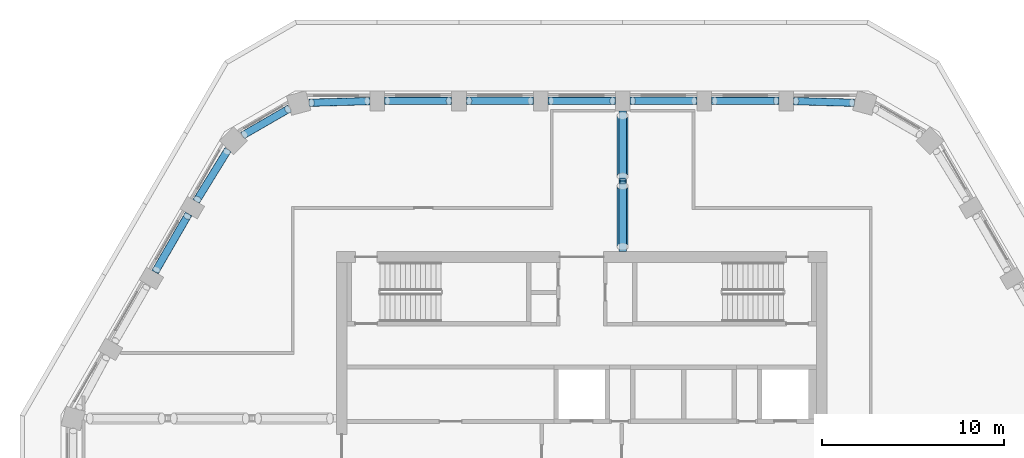
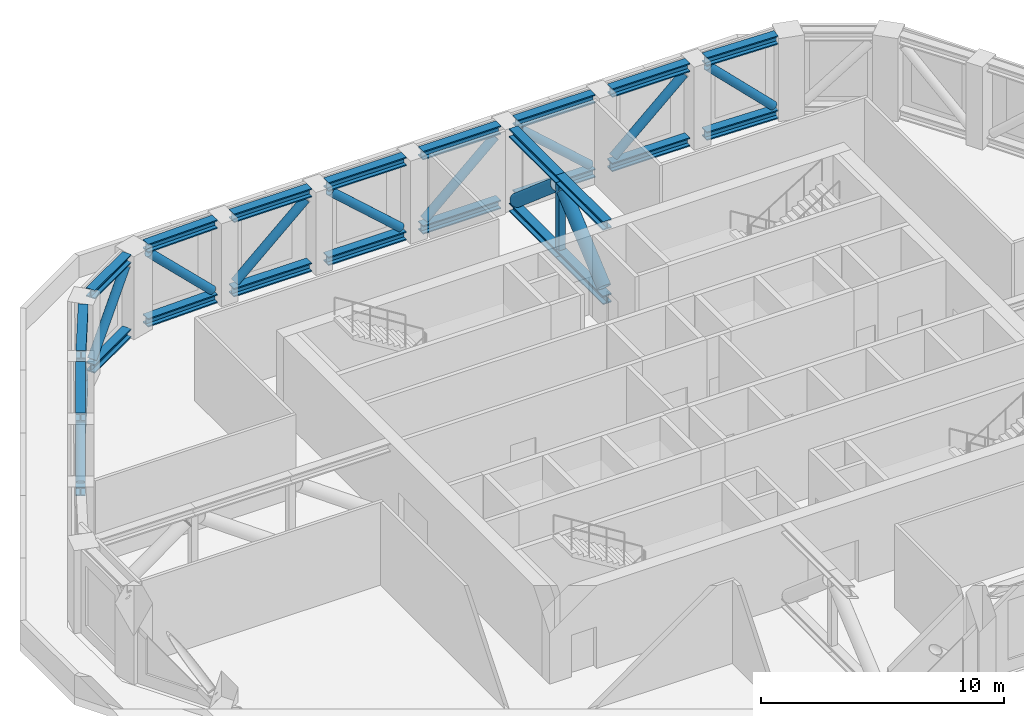
# One storey, part 4 of 15: 24 beams, 13 members.
"""IFC4 building model written with IfcOpenShell, lengths in metres."""

from ifc_helpers import new_model, si_unit, direction, frame, origin, origin_2d, place, context, subcontext, project, spatial, hollow_rectangle, hollow_circle, i_section, extrude, material, material_profile, profile_set, type_object, element, save


model = new_model("IFC4")

# Units and contexts
model_context = context("Model", 3, precision=1e-05, world=origin(), true_north=direction((0.0, 1.0)))
body_context = subcontext(model_context, "Body", "Model", "MODEL_VIEW")
ifc_project = project(units=[si_unit("LENGTHUNIT", "METRE"), si_unit("AREAUNIT", "SQUARE_METRE"), si_unit("VOLUMEUNIT", "CUBIC_METRE"), si_unit("PLANEANGLEUNIT", "RADIAN"), si_unit("MASSUNIT", "GRAM", prefix="KILO")], contexts=[model_context])

# Site, building, storey
site_placement = place(None, origin())
site = spatial("IfcSite", under=ifc_project, at=site_placement, CompositionType="ELEMENT")
building_placement = place(site_placement, origin())
building = spatial("IfcBuilding", under=site, at=building_placement, Name="Dhurran Vertical Campus", CompositionType="ELEMENT")
storey_placement = place(building_placement, frame((0.0, 0.0, 230.699951171875)))
storey = spatial("IfcBuildingStorey", under=building, at=storey_placement, Name="L57 Plant", CompositionType="ELEMENT", Elevation=230.699951171875)

# Beams
ifc_material_1 = material(Name="Steel ASTM A992", Category="steel")
ifc_material_profile_1 = material_profile(ifc_material_1, i_section(OverallWidth=0.412109375, OverallDepth=0.43505859375, WebThickness=0.035888671875, FlangeThickness=0.057373046875, at=origin_2d()), Name="W360x463")
ifc_profile_set_1 = profile_set([ifc_material_profile_1], Name="Steel ASTM A992")
beam_type_1 = type_object("IfcBeamType", Name="FR BELT CHORD W360x463", PredefinedType="BEAM", material=ifc_profile_set_1)
for number, where, z_axis, x_axis, name in (
    (1, (15.00439453125, 19.430908203125, 0.217529296875), (-0.999589114089, 0.028663617973, 0.0), (-0.028663617973, -0.999589114089, 0.0), "Belt truss chord L57"),
    (2, (15.00439453125, 19.430908203125, 3.95751953125), (-0.999589114089, 0.028663617973, 0.0), (-0.028663617973, -0.999589114089, 0.0), "Belt truss chord L57"),
):
    element("IfcBeam", number, at=place(storey_placement, frame(where, z_axis=z_axis, x_axis=x_axis)), inside=storey, type_object=beam_type_1, Name=name, PredefinedType="BEAM", context=body_context, shape_type="SweptSolid", body=[
        extrude(i_section(OverallWidth=0.412109375, OverallDepth=0.43505859375, WebThickness=0.035888671875, FlangeThickness=0.057373046875, at=origin_2d()), origin(), (0.0, 0.0, 1.0), 3.35595703125),
    ])
for number, where, z_axis, x_axis, name in (
    (3, (10.85009765625, 19.53857421875, 0.217529296875), (-1.0, 0.0, 0.0), (0.0, -1.0, 0.0), "Belt truss chord L57"),
    (4, (10.85009765625, 19.53857421875, 3.95751953125), (-1.0, 0.0, 0.0), (0.0, -1.0, 0.0), "Belt truss chord L57"),
    (5, (6.35009765625, 19.53857421875, 0.217529296875), (-1.0, 0.0, 0.0), (0.0, -1.0, 0.0), "Belt truss chord L57"),
    (6, (6.35009765625, 19.53857421875, 3.95751953125), (-1.0, 0.0, 0.0), (0.0, -1.0, 0.0), "Belt truss chord L57"),
    (7, (1.85009765625, 19.53857421875, 0.217529296875), (-1.0, 0.0, 0.0), (0.0, -1.0, 0.0), "Belt truss chord L57"),
    (8, (1.85009765625, 19.53857421875, 3.95751953125), (-1.0, 0.0, 0.0), (0.0, -1.0, 0.0), "Belt truss chord L57"),
    (9, (-2.64990234375, 19.53857421875, 0.217529296875), (-1.0, 0.0, 0.0), (0.0, -1.0, 0.0), "Belt truss chord L57"),
    (10, (-2.64990234375, 19.53857421875, 3.95751953125), (-1.0, 0.0, 0.0), (0.0, -1.0, 0.0), "Belt truss chord L57"),
    (11, (-7.14990234375, 19.53857421875, 0.217529296875), (-1.0, 0.0, 0.0), (0.0, -1.0, 0.0), "Belt truss chord L57"),
    (12, (-7.14990234375, 19.53857421875, 3.95751953125), (-1.0, 0.0, 0.0), (0.0, -1.0, 0.0), "Belt truss chord L57"),
):
    element("IfcBeam", number, at=place(storey_placement, frame(where, z_axis=z_axis, x_axis=x_axis)), inside=storey, type_object=beam_type_1, Name=name, PredefinedType="BEAM", context=body_context, shape_type="SweptSolid", body=[
        extrude(i_section(OverallWidth=0.412109375, OverallDepth=0.43505859375, WebThickness=0.035888671875, FlangeThickness=0.057373046875, at=origin_2d()), origin(), (0.0, 0.0, 1.0), 3.7001953125),
    ])
for number, where, z_axis, x_axis, name in (
    (13, (-11.64990234375, 19.527099609375, 0.217529296875), (-0.999589114089, -0.028663617973, 0.0), (0.028663617973, -0.999589114089, 0.0), "Belt truss chord L57"),
    (14, (-11.64990234375, 19.527099609375, 3.95751953125), (-0.999589114089, -0.028663617973, 0.0), (0.028663617973, -0.999589114089, 0.0), "Belt truss chord L57"),
):
    element("IfcBeam", number, at=place(storey_placement, frame(where, z_axis=z_axis, x_axis=x_axis)), inside=storey, type_object=beam_type_1, Name=name, PredefinedType="BEAM", context=body_context, shape_type="SweptSolid", body=[
        extrude(i_section(OverallWidth=0.412109375, OverallDepth=0.43505859375, WebThickness=0.035888671875, FlangeThickness=0.057373046875, at=origin_2d()), origin(), (0.0, 0.0, 1.0), 3.35595703125),
    ])
for number, where, z_axis, x_axis, name in (
    (15, (-16.0625, 19.130126953125, 0.217529296875), (-0.866016204555, -0.500015933195, 0.0), (0.500015933195, -0.866016204555, 0.0), "Belt truss chord L57"),
    (16, (-16.0625, 19.130126953125, 3.95751953125), (-0.866016204555, -0.500015933195, 0.0), (0.500015933195, -0.866016204555, 0.0), "Belt truss chord L57"),
):
    element("IfcBeam", number, at=place(storey_placement, frame(where, z_axis=z_axis, x_axis=x_axis)), inside=storey, type_object=beam_type_1, Name=name, PredefinedType="BEAM", context=body_context, shape_type="SweptSolid", body=[
        extrude(i_section(OverallWidth=0.412109375, OverallDepth=0.43505859375, WebThickness=0.035888671875, FlangeThickness=0.057373046875, at=origin_2d()), origin(), (0.0, 0.0, 1.0), 3.00048828125),
    ])
for number, where, z_axis, x_axis, name in (
    (17, (-19.450439453125, 16.864013671875, 0.217529296875), (-0.524612836657, -0.851340925608, 0.0), (0.851340925608, -0.524612836657, 0.0), "Belt truss chord L57"),
    (18, (-19.450439453125, 16.864013671875, 3.95751953125), (-0.524612836657, -0.851340925608, 0.0), (0.851340925608, -0.524612836657, 0.0), "Belt truss chord L57"),
):
    element("IfcBeam", number, at=place(storey_placement, frame(where, z_axis=z_axis, x_axis=x_axis)), inside=storey, type_object=beam_type_1, Name=name, PredefinedType="BEAM", context=body_context, shape_type="SweptSolid", body=[
        extrude(i_section(OverallWidth=0.412109375, OverallDepth=0.43505859375, WebThickness=0.035888671875, FlangeThickness=0.057373046875, at=origin_2d()), origin(), (0.0, 0.0, 1.0), 3.355712890625),
    ])
for number, where, z_axis, x_axis, name in (
    (19, (-21.620849609375, 13.31982421875, 0.217529296875), (-0.499964254978, -0.866046040199, 0.0), (0.866046040199, -0.499964254978, 0.0), "Belt truss chord L57"),
    (20, (-21.620849609375, 13.31982421875, 3.95751953125), (-0.499964254978, -0.866046040199, 0.0), (0.866046040199, -0.499964254978, 0.0), "Belt truss chord L57"),
):
    element("IfcBeam", number, at=place(storey_placement, frame(where, z_axis=z_axis, x_axis=x_axis)), inside=storey, type_object=beam_type_1, Name=name, PredefinedType="BEAM", context=body_context, shape_type="SweptSolid", body=[
        extrude(i_section(OverallWidth=0.412109375, OverallDepth=0.43505859375, WebThickness=0.035888671875, FlangeThickness=0.057373046875, at=origin_2d()), origin(), (0.0, 0.0, 1.0), 3.699951171875),
    ])

# Members
ifc_material_2 = material(Name="Steel S355J2H", Category="steel")
ifc_material_profile_2 = material_profile(ifc_material_2, hollow_circle(Radius=0.203125, WallThickness=0.01611328125, at=origin_2d()), Name="CHS406.4x16")
ifc_profile_set_2 = profile_set([ifc_material_profile_2], Name="Steel S355J2H")
member_type_1 = type_object("IfcMemberType", Name="FR BELT DIAGONAL CHS406.4x16", PredefinedType="BRACE", material=ifc_profile_set_2)
member_1_placement = place(storey_placement, frame((14.857421875, 19.435302734375, 0.579833984375), z_axis=(-0.71219609835, 0.020338720741, 0.701685865565), x_axis=(-0.028546115717, -0.999592476601, 0.0)))
element("IfcMember", 21, at=member_1_placement, inside=storey, type_object=member_type_1, Name="Belt truss diagonal L57", PredefinedType="BRACE", context=body_context, shape_type="SweptSolid", body=[
    extrude(hollow_circle(Radius=0.203125, WallThickness=0.01611328125, at=origin_2d()), origin(), (0.0, 0.0, 1.0), 4.29736328125),
])
for number, where, z_axis, x_axis, name in (
    (22, (7.319580078125, 19.53857421875, 0.586669921875), (0.745804991219, 0.0, 0.666164330381), (0.0, 1.0, 0.0), "Belt truss diagonal L57"),
    (23, (6.180419921875, 19.53857421875, 0.586669921875), (-0.745804991219, 0.0, 0.666164330381), (0.0, -1.0, 0.0), "Belt truss diagonal L57"),
    (24, (-1.680419921875, 19.53857421875, 0.586669921875), (0.745804991219, 0.0, 0.666164330381), (0.0, 1.0, 0.0), "Belt truss diagonal L57"),
    (25, (-2.819580078125, 19.53857421875, 0.586669921875), (-0.745804991219, 0.0, 0.666164330381), (0.0, -1.0, 0.0), "Belt truss diagonal L57"),
    (26, (-10.680419921875, 19.53857421875, 0.586669921875), (0.745804991219, 0.0, 0.666164330381), (0.0, 1.0, 0.0), "Belt truss diagonal L57"),
):
    element("IfcMember", number, at=place(storey_placement, frame(where, z_axis=z_axis, x_axis=x_axis)), inside=storey, type_object=member_type_1, Name=name, PredefinedType="BRACE", context=body_context, shape_type="SweptSolid", body=[
        extrude(hollow_circle(Radius=0.203125, WallThickness=0.01611328125, at=origin_2d()), origin(), (0.0, 0.0, 1.0), 4.50634765625),
    ])
member_2_placement = place(storey_placement, frame((-11.796875, 19.522705078125, 0.579833984375), z_axis=(-0.71219609835, -0.020338720741, 0.701685865565), x_axis=(0.028546115717, -0.999592476601, 0.0)))
element("IfcMember", 27, at=member_2_placement, inside=storey, type_object=member_type_1, Name="Belt truss diagonal L57", PredefinedType="BRACE", context=body_context, shape_type="SweptSolid", body=[
    extrude(hollow_circle(Radius=0.203125, WallThickness=0.01611328125, at=origin_2d()), origin(), (0.0, 0.0, 1.0), 4.29736328125),
])
member_3_placement = place(storey_placement, frame((-18.553466796875, 17.69189453125, 0.571533203125), z_axis=(0.582076792351, 0.336081827152, 0.740429343871), x_axis=(-0.500021908856, 0.866012754331, 0.0)))
element("IfcMember", 28, at=member_3_placement, inside=storey, type_object=member_type_1, Name="Belt truss diagonal L57", PredefinedType="BRACE", context=body_context, shape_type="SweptSolid", body=[
    extrude(hollow_circle(Radius=0.203125, WallThickness=0.01611328125, at=origin_2d()), origin(), (0.0, 0.0, 1.0), 4.094970703125),
])
member_4_placement = place(storey_placement, frame((-19.527587890625, 16.739013671875, 0.579833984375), z_axis=(-0.373752449697, -0.606616303066, 0.70165929567), x_axis=(0.851376223454, -0.524555551049, 0.0)))
element("IfcMember", 29, at=member_4_placement, inside=storey, type_object=member_type_1, Name="Belt truss diagonal L57", PredefinedType="BRACE", context=body_context, shape_type="SweptSolid", body=[
    extrude(hollow_circle(Radius=0.203125, WallThickness=0.01611328125, at=origin_2d()), origin(), (0.0, 0.0, 1.0), 4.297607421875),
])
member_5_placement = place(storey_placement, frame((-23.385986328125, 10.262451171875, 0.586669921875), z_axis=(0.372898655487, 0.645895361138, 0.66615747027), x_axis=(-0.866030748172, 0.499990743136, 0.0)))
element("IfcMember", 30, at=member_5_placement, inside=storey, type_object=member_type_1, Name="Belt truss diagonal L57", PredefinedType="BRACE", context=body_context, shape_type="SweptSolid", body=[
    extrude(hollow_circle(Radius=0.203125, WallThickness=0.01611328125, at=origin_2d()), origin(), (0.0, 0.0, 1.0), 4.50634765625),
])

# Beams
ifc_material_3 = material(Name="Steel ASTM A992", Category="steel")
ifc_material_profile_3 = material_profile(ifc_material_3, i_section(OverallWidth=0.412109375, OverallDepth=0.43505859375, WebThickness=0.035888671875, FlangeThickness=0.057373046875, at=origin_2d()), Name="W360x463")
ifc_profile_set_3 = profile_set([ifc_material_profile_3], Name="Steel ASTM A992")
beam_type_2 = type_object("IfcBeamType", Name="FR OUTRIGGER CHORD W360x463", PredefinedType="BEAM", material=ifc_profile_set_3)
for number, where, z_axis, x_axis, name in (
    (31, (2.25, 11.25, 0.217529296875), (0.0, 1.0, 0.0), (-1.0, 0.0, 0.0), "Outrigger truss chord L57"),
    (32, (2.25, 11.25, 3.95751953125), (0.0, 1.0, 0.0), (-1.0, 0.0, 0.0), "Outrigger truss chord L57"),
):
    element("IfcBeam", number, at=place(storey_placement, frame(where, z_axis=z_axis, x_axis=x_axis)), inside=storey, type_object=beam_type_2, Name=name, PredefinedType="BEAM", context=body_context, shape_type="SweptSolid", body=[
        extrude(i_section(OverallWidth=0.412109375, OverallDepth=0.43505859375, WebThickness=0.035888671875, FlangeThickness=0.057373046875, at=origin_2d()), origin(), (0.0, 0.0, 1.0), 3.869140625),
    ])
for number, where, z_axis, x_axis, name in (
    (33, (2.25, 15.119140625, 0.217529296875), (0.0, 1.0, 0.0), (-1.0, 0.0, 0.0), "Outrigger truss chord L57"),
    (34, (2.25, 15.119140625, 3.95751953125), (0.0, 1.0, 0.0), (-1.0, 0.0, 0.0), "Outrigger truss chord L57"),
):
    element("IfcBeam", number, at=place(storey_placement, frame(where, z_axis=z_axis, x_axis=x_axis)), inside=storey, type_object=beam_type_2, Name=name, PredefinedType="BEAM", context=body_context, shape_type="SweptSolid", body=[
        extrude(i_section(OverallWidth=0.412109375, OverallDepth=0.43505859375, WebThickness=0.035888671875, FlangeThickness=0.057373046875, at=origin_2d()), origin(), (0.0, 0.0, 1.0), 3.869384765625),
    ])

# Members
ifc_material_4 = material(Name="Steel S355J2H", Category="steel")
ifc_material_profile_4 = material_profile(ifc_material_4, hollow_circle(Radius=0.304931640625, WallThickness=0.02001953125, at=origin_2d()), Name="CHS610x20")
ifc_profile_set_4 = profile_set([ifc_material_profile_4], Name="Steel S355J2H")
member_type_2 = type_object("IfcMemberType", Name="FR OUTRIGGER DIAGONAL CHS610x20", PredefinedType="BRACE", material=ifc_profile_set_4)
for number, where, z_axis, x_axis, name in (
    (35, (2.25, 11.521484375, 0.6669921875), (0.0, 0.760378271958, 0.649480472019), (-1.0, 0.0, 0.0), "Outrigger truss diagonal L57"),
    (36, (2.25, 18.717041015625, 0.6669921875), (0.0, -0.760378271958, 0.649480472019), (1.0, 0.0, 0.0), "Outrigger truss diagonal L57"),
):
    element("IfcMember", number, at=place(storey_placement, frame(where, z_axis=z_axis, x_axis=x_axis)), inside=storey, type_object=member_type_2, Name=name, PredefinedType="BRACE", context=body_context, shape_type="SweptSolid", body=[
        extrude(hollow_circle(Radius=0.304931640625, WallThickness=0.02001953125, at=origin_2d()), origin(), (0.0, 0.0, 1.0), 4.374267578125),
    ])
ifc_material_5 = material(Name="Steel S355J2H", Category="steel")
ifc_material_profile_5 = material_profile(ifc_material_5, hollow_rectangle(XDim=0.300048828125, YDim=0.300048828125, WallThickness=0.012451171875, at=origin_2d()), Name="SHS300x300x12.5")
ifc_profile_set_5 = profile_set([ifc_material_profile_5], Name="Steel S355J2H")
member_type_3 = type_object("IfcMemberType", Name="FR OUTRIGGER POST SHS300x300x12.5", PredefinedType="POST", material=ifc_profile_set_5)
member_6_placement = place(storey_placement, frame((2.25, 15.119140625, 0.43505859375), z_axis=(0.0, 0.0, 1.0), x_axis=(0.0, 1.0, 0.0)))
element("IfcMember", 37, at=member_6_placement, inside=storey, type_object=member_type_3, Name="Outrigger truss post L57", PredefinedType="POST", context=body_context, shape_type="SweptSolid", body=[
    extrude(hollow_rectangle(XDim=0.300048828125, YDim=0.300048828125, WallThickness=0.012451171875, at=origin_2d()), origin(), (0.0, 0.0, 1.0), 3.304931640625),
])

save(model, "model.ifc")
